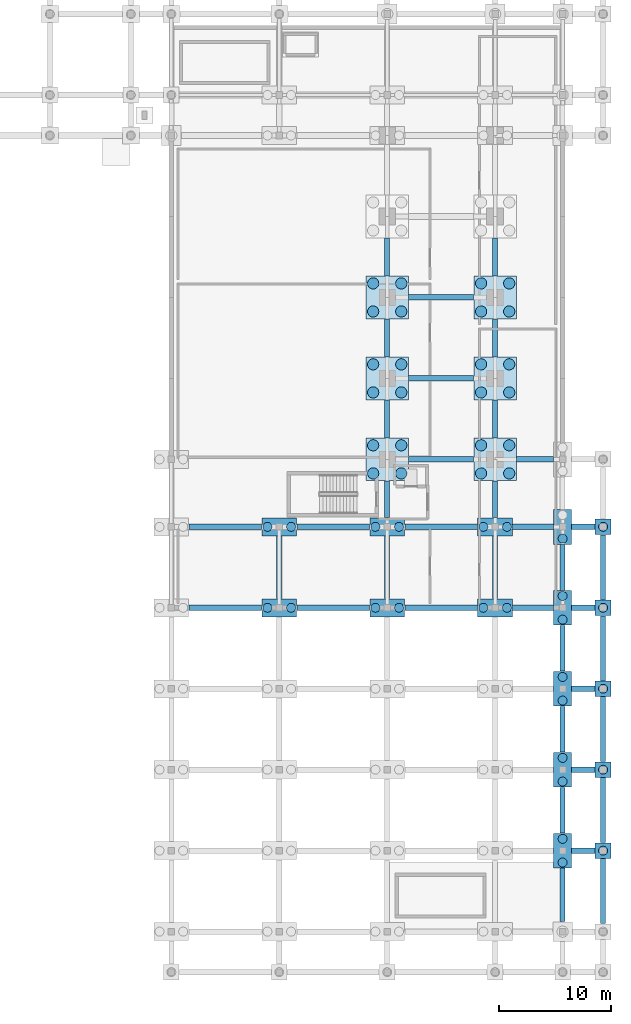
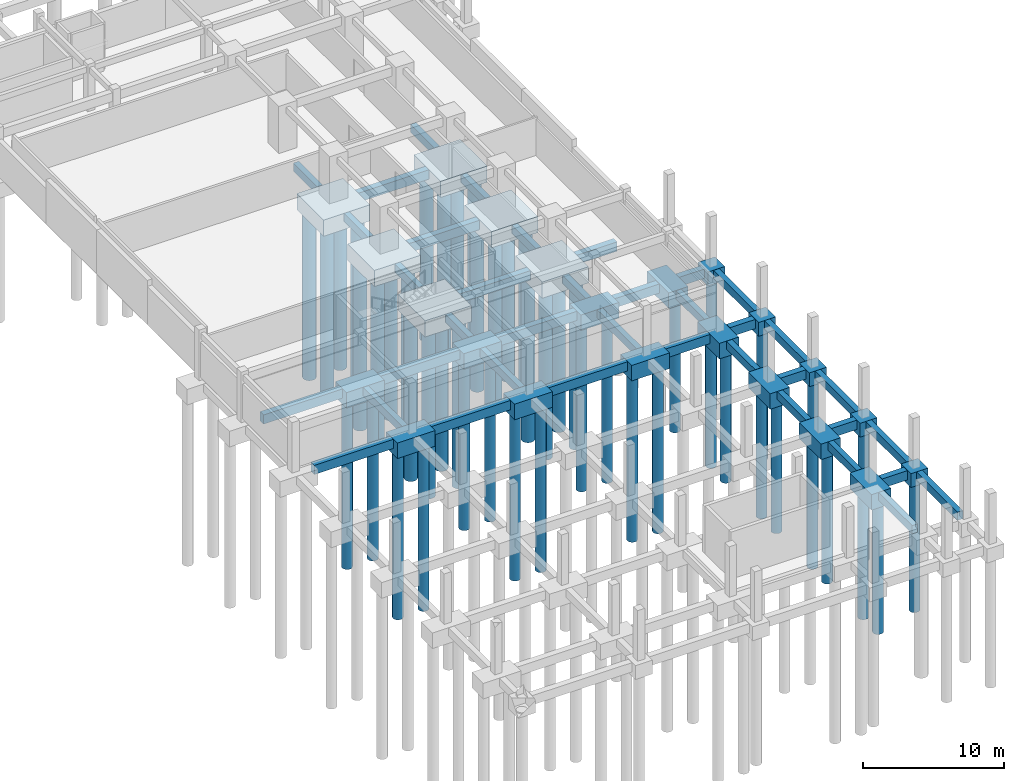
# One storey, part 9 of 20: 60 footings, 50 piles.
"""IFC4 building model written with IfcOpenShell, lengths in metres."""

from ifc_helpers import new_model, si_unit, direction, frame, origin, origin_2d, place, context, subcontext, project, spatial, polyline, rectangle, circle, outline, extrude, material, material_profile, profile_set, type_object, element, save


model = new_model("IFC4")

# Units and contexts
model_context = context("Model", 3, precision=1e-05, world=origin(), true_north=direction((0.0, 1.0)))
body_context = subcontext(model_context, "Body", "Model", "MODEL_VIEW")
ifc_project = project(units=[si_unit("LENGTHUNIT", "METRE"), si_unit("AREAUNIT", "SQUARE_METRE"), si_unit("VOLUMEUNIT", "CUBIC_METRE"), si_unit("PLANEANGLEUNIT", "RADIAN"), si_unit("MASSUNIT", "GRAM", prefix="KILO")], contexts=[model_context])

# Site, building, storey
site_placement = place(None, origin())
site = spatial("IfcSite", under=ifc_project, at=site_placement, CompositionType="ELEMENT")
building_placement = place(site_placement, origin())
building = spatial("IfcBuilding", under=site, at=building_placement, Name="Nzembalo Square Collegiate School", CompositionType="ELEMENT")
storey_placement = place(building_placement, frame((0.0, 0.0, -4.080078125)))
storey = spatial("IfcBuildingStorey", under=building, at=storey_placement, Name="B1", CompositionType="ELEMENT", Elevation=-4.080078125)

# Footings
ifc_material_1 = material(Name="Concrete C35/45", Category="concrete")
footing_type_1 = type_object("IfcFootingType", Name="PC01", PredefinedType="PILE_CAP", material=ifc_material_1)
for number, where, z_axis, x_axis, name in (
    (1, (150.0, 50.39990234375, -1.699951171875), (0.0, 0.0, 1.0), (1.0, 0.0, 0.0), "Pile cap PC01 at 22/H"),
    (2, (150.0, 57.60009765625, -1.699951171875), (0.0, 0.0, 1.0), (1.0, 0.0, 0.0), "Pile cap PC01 at 22/I"),
    (3, (150.0, 64.800048828125, -1.699951171875), (0.0, 0.0, 1.0), (1.0, 0.0, 0.0), "Pile cap PC01 at 22/J"),
    (4, (159.60009765625, 50.39990234375, -1.699951171875), (0.0, 0.0, 1.0), (1.0, 0.0, 0.0), "Pile cap PC01 at 23/H"),
    (5, (159.60009765625, 57.60009765625, -1.699951171875), (0.0, 0.0, 1.0), (1.0, 0.0, 0.0), "Pile cap PC01 at 23/I"),
    (6, (159.60009765625, 64.800048828125, -1.699951171875), (0.0, 0.0, 1.0), (1.0, 0.0, 0.0), "Pile cap PC01 at 23/J"),
):
    element("IfcFooting", number, at=place(storey_placement, frame(where, z_axis=z_axis, x_axis=x_axis)), inside=storey, type_object=footing_type_1, Name=name, PredefinedType="PILE_CAP", context=body_context, shape_type="SweptSolid", body=[
        extrude(rectangle(XDim=3.800048828125, YDim=3.800048828125, at=origin_2d()), origin(), (0.0, 0.0, 1.0), 1.39990234375),
    ])
ifc_material_2 = material(Name="Concrete C35/45", Category="concrete")
footing_type_2 = type_object("IfcFootingType", Name="PC03", PredefinedType="PILE_CAP", material=ifc_material_2)
for number, where, z_axis, x_axis, name in (
    (7, (140.39990234375, 37.199951171875, -1.64990234375), (0.0, 0.0, 1.0), (1.0, 0.0, 0.0), "Pile cap PC03 at 21/F"),
    (8, (140.39990234375, 44.39990234375, -1.64990234375), (0.0, 0.0, 1.0), (1.0, 0.0, 0.0), "Pile cap PC03 at 21/G"),
    (9, (150.0, 37.199951171875, -1.64990234375), (0.0, 0.0, 1.0), (1.0, 0.0, 0.0), "Pile cap PC03 at 22/F"),
    (10, (150.0, 44.39990234375, -1.64990234375), (0.0, 0.0, 1.0), (1.0, 0.0, 0.0), "Pile cap PC03 at 22/G"),
    (11, (159.60009765625, 37.199951171875, -1.64990234375), (0.0, 0.0, 1.0), (1.0, 0.0, 0.0), "Pile cap PC03 at 23/F"),
    (12, (159.60009765625, 44.39990234375, -1.64990234375), (0.0, 0.0, 1.0), (1.0, 0.0, 0.0), "Pile cap PC03 at 23/G"),
):
    element("IfcFooting", number, at=place(storey_placement, frame(where, z_axis=z_axis, x_axis=x_axis)), inside=storey, type_object=footing_type_2, Name=name, PredefinedType="PILE_CAP", context=body_context, shape_type="SweptSolid", body=[
        extrude(rectangle(XDim=3.10009765625, YDim=1.60009765625, at=origin_2d()), origin(), (0.0, 0.0, 1.0), 1.35009765625),
    ])
ifc_material_3 = material(Name="Concrete C35/45", Category="concrete")
footing_type_3 = type_object("IfcFootingType", Name="PC04", PredefinedType="PILE_CAP", material=ifc_material_3)
for number, where, z_axis, x_axis, name in (
    (13, (165.60009765625, 15.60009765625, -1.64990234375), (0.0, 0.0, 1.0), (1.0, 0.0, 0.0), "Pile cap PC04 at 24/C"),
    (14, (165.60009765625, 22.800048828125, -1.64990234375), (0.0, 0.0, 1.0), (1.0, 0.0, 0.0), "Pile cap PC04 at 24/D"),
    (15, (165.60009765625, 30.0, -1.64990234375), (0.0, 0.0, 1.0), (1.0, 0.0, 0.0), "Pile cap PC04 at 24/E"),
    (16, (165.60009765625, 37.199951171875, -1.64990234375), (0.0, 0.0, 1.0), (1.0, 0.0, 0.0), "Pile cap PC04 at 24/F"),
    (17, (165.60009765625, 44.39990234375, -1.64990234375), (0.0, 0.0, 1.0), (1.0, 0.0, 0.0), "Pile cap PC04 at 24/G"),
):
    element("IfcFooting", number, at=place(storey_placement, frame(where, z_axis=z_axis, x_axis=x_axis)), inside=storey, type_object=footing_type_3, Name=name, PredefinedType="PILE_CAP", context=body_context, shape_type="SweptSolid", body=[
        extrude(rectangle(XDim=1.60009765625, YDim=3.10009765625, at=origin_2d()), origin(), (0.0, 0.0, 1.0), 1.35009765625),
    ])
ifc_material_4 = material(Name="Concrete C35/45", Category="concrete")
footing_type_4 = type_object("IfcFootingType", Name="PC07", PredefinedType="PILE_CAP", material=ifc_material_4)
for number, where, z_axis, x_axis, name in (
    (18, (169.199951171875, 15.60009765625, -1.5), (0.0, 0.0, 1.0), (1.0, 0.0, 0.0), "Pile cap PC07 at 25/C"),
    (19, (169.199951171875, 22.800048828125, -1.5), (0.0, 0.0, 1.0), (1.0, 0.0, 0.0), "Pile cap PC07 at 25/D"),
    (20, (169.199951171875, 30.0, -1.5), (0.0, 0.0, 1.0), (1.0, 0.0, 0.0), "Pile cap PC07 at 25/E"),
    (21, (169.199951171875, 37.199951171875, -1.5), (0.0, 0.0, 1.0), (1.0, 0.0, 0.0), "Pile cap PC07 at 25/F"),
    (22, (169.199951171875, 44.39990234375, -1.5), (0.0, 0.0, 1.0), (1.0, 0.0, 0.0), "Pile cap PC07 at 25/G"),
):
    element("IfcFooting", number, at=place(storey_placement, frame(where, z_axis=z_axis, x_axis=x_axis)), inside=storey, type_object=footing_type_4, Name=name, PredefinedType="PILE_CAP", context=body_context, shape_type="SweptSolid", body=[
        extrude(rectangle(XDim=1.39990234375, YDim=1.39990234375, at=origin_2d()), origin(), (0.0, 0.0, 1.0), 1.199951171875),
    ])
ifc_material_5 = material(Name="Concrete C30/37", Category="concrete")
footing_type_5 = type_object("IfcFootingType", Name="FG01", PredefinedType="FOOTING_BEAM", material=ifc_material_5)
footing_1_placement = place(storey_placement, frame((0.0, 0.0, -1.099853515625)))
element("IfcFooting", 23, at=footing_1_placement, inside=storey, type_object=footing_type_5, Name="Ground beam FG01 24-25/C", PredefinedType="FOOTING_BEAM", context=body_context, shape_type="SweptSolid", body=[
    extrude(outline(polyline([(166.409912109375, 15.35009765625), (168.489990234375, 15.35009765625), (168.489990234375, 15.85009765625), (166.409912109375, 15.85009765625), (166.409912109375, 15.35009765625)])), origin(), (0.0, 0.0, 1.0), 0.800048828125),
])
footing_2_placement = place(storey_placement, frame((0.0, 0.0, -1.099853515625)))
element("IfcFooting", 24, at=footing_2_placement, inside=storey, type_object=footing_type_5, Name="Ground beam FG01 24-25/D", PredefinedType="FOOTING_BEAM", context=body_context, shape_type="SweptSolid", body=[
    extrude(outline(polyline([(166.409912109375, 22.550048828125), (168.489990234375, 22.550048828125), (168.489990234375, 23.050048828125), (166.409912109375, 23.050048828125), (166.409912109375, 22.550048828125)])), origin(), (0.0, 0.0, 1.0), 0.800048828125),
])
footing_3_placement = place(storey_placement, frame((0.0, 0.0, -1.099853515625)))
element("IfcFooting", 25, at=footing_3_placement, inside=storey, type_object=footing_type_5, Name="Ground beam FG01 24-25/E", PredefinedType="FOOTING_BEAM", context=body_context, shape_type="SweptSolid", body=[
    extrude(outline(polyline([(166.409912109375, 29.75), (168.489990234375, 29.75), (168.489990234375, 30.25), (166.409912109375, 30.25), (166.409912109375, 29.75)])), origin(), (0.0, 0.0, 1.0), 0.800048828125),
])
footing_4_placement = place(storey_placement, frame((0.0, 0.0, -1.099853515625)))
element("IfcFooting", 26, at=footing_4_placement, inside=storey, type_object=footing_type_5, Name="Ground beam FG01 20-21/F", PredefinedType="FOOTING_BEAM", context=body_context, shape_type="SweptSolid", body=[
    extrude(outline(polyline([(132.360107421875, 36.949951171875), (138.840087890625, 36.949951171875), (138.840087890625, 37.449951171875), (132.360107421875, 37.449951171875), (132.360107421875, 36.949951171875)])), origin(), (0.0, 0.0, 1.0), 0.800048828125),
])
footing_5_placement = place(storey_placement, frame((0.0, 0.0, -1.099853515625)))
element("IfcFooting", 27, at=footing_5_placement, inside=storey, type_object=footing_type_5, Name="Ground beam FG01 21-22/F", PredefinedType="FOOTING_BEAM", context=body_context, shape_type="SweptSolid", body=[
    extrude(outline(polyline([(141.9599609375, 36.949951171875), (148.43994140625, 36.949951171875), (148.43994140625, 37.449951171875), (141.9599609375, 37.449951171875), (141.9599609375, 36.949951171875)])), origin(), (0.0, 0.0, 1.0), 0.800048828125),
])
footing_6_placement = place(storey_placement, frame((0.0, 0.0, -1.099853515625)))
element("IfcFooting", 28, at=footing_6_placement, inside=storey, type_object=footing_type_5, Name="Ground beam FG01 22-23/F", PredefinedType="FOOTING_BEAM", context=body_context, shape_type="SweptSolid", body=[
    extrude(outline(polyline([(151.56005859375, 36.949951171875), (158.0400390625, 36.949951171875), (158.0400390625, 37.449951171875), (151.56005859375, 37.449951171875), (151.56005859375, 36.949951171875)])), origin(), (0.0, 0.0, 1.0), 0.800048828125),
])
footing_7_placement = place(storey_placement, frame((0.0, 0.0, -1.099853515625)))
element("IfcFooting", 29, at=footing_7_placement, inside=storey, type_object=footing_type_5, Name="Ground beam FG01 23-24/F", PredefinedType="FOOTING_BEAM", context=body_context, shape_type="SweptSolid", body=[
    extrude(outline(polyline([(161.159912109375, 36.949951171875), (164.7900390625, 36.949951171875), (164.7900390625, 37.449951171875), (161.159912109375, 37.449951171875), (161.159912109375, 36.949951171875)])), origin(), (0.0, 0.0, 1.0), 0.800048828125),
])
footing_8_placement = place(storey_placement, frame((0.0, 0.0, -1.099853515625)))
element("IfcFooting", 30, at=footing_8_placement, inside=storey, type_object=footing_type_5, Name="Ground beam FG01 24-25/F", PredefinedType="FOOTING_BEAM", context=body_context, shape_type="SweptSolid", body=[
    extrude(outline(polyline([(166.409912109375, 36.949951171875), (168.489990234375, 36.949951171875), (168.489990234375, 37.449951171875), (166.409912109375, 37.449951171875), (166.409912109375, 36.949951171875)])), origin(), (0.0, 0.0, 1.0), 0.800048828125),
])
footing_9_placement = place(storey_placement, frame((0.0, 0.0, -1.099853515625)))
element("IfcFooting", 31, at=footing_9_placement, inside=storey, type_object=footing_type_5, Name="Ground beam FG01 20-21/G", PredefinedType="FOOTING_BEAM", context=body_context, shape_type="SweptSolid", body=[
    extrude(outline(polyline([(132.360107421875, 44.14990234375), (138.840087890625, 44.14990234375), (138.840087890625, 44.64990234375), (132.360107421875, 44.64990234375), (132.360107421875, 44.14990234375)])), origin(), (0.0, 0.0, 1.0), 0.800048828125),
])
footing_10_placement = place(storey_placement, frame((0.0, 0.0, -1.099853515625)))
element("IfcFooting", 32, at=footing_10_placement, inside=storey, type_object=footing_type_5, Name="Ground beam FG01 21-22/G", PredefinedType="FOOTING_BEAM", context=body_context, shape_type="SweptSolid", body=[
    extrude(outline(polyline([(141.9599609375, 44.14990234375), (148.43994140625, 44.14990234375), (148.43994140625, 44.64990234375), (141.9599609375, 44.64990234375), (141.9599609375, 44.14990234375)])), origin(), (0.0, 0.0, 1.0), 0.800048828125),
])
footing_11_placement = place(storey_placement, frame((0.0, 0.0, -1.099853515625)))
element("IfcFooting", 33, at=footing_11_placement, inside=storey, type_object=footing_type_5, Name="Ground beam FG01 22-23/G", PredefinedType="FOOTING_BEAM", context=body_context, shape_type="SweptSolid", body=[
    extrude(outline(polyline([(151.56005859375, 44.14990234375), (158.0400390625, 44.14990234375), (158.0400390625, 44.64990234375), (151.56005859375, 44.64990234375), (151.56005859375, 44.14990234375)])), origin(), (0.0, 0.0, 1.0), 0.800048828125),
])
footing_12_placement = place(storey_placement, frame((0.0, 0.0, -1.099853515625)))
element("IfcFooting", 34, at=footing_12_placement, inside=storey, type_object=footing_type_5, Name="Ground beam FG01 23-24/G", PredefinedType="FOOTING_BEAM", context=body_context, shape_type="SweptSolid", body=[
    extrude(outline(polyline([(161.159912109375, 44.14990234375), (164.7900390625, 44.14990234375), (164.7900390625, 44.64990234375), (161.159912109375, 44.64990234375), (161.159912109375, 44.14990234375)])), origin(), (0.0, 0.0, 1.0), 0.800048828125),
])
footing_13_placement = place(storey_placement, frame((0.0, 0.0, -1.099853515625)))
element("IfcFooting", 35, at=footing_13_placement, inside=storey, type_object=footing_type_5, Name="Ground beam FG01 24-25/G", PredefinedType="FOOTING_BEAM", context=body_context, shape_type="SweptSolid", body=[
    extrude(outline(polyline([(166.409912109375, 44.14990234375), (168.489990234375, 44.14990234375), (168.489990234375, 44.64990234375), (166.409912109375, 44.64990234375), (166.409912109375, 44.14990234375)])), origin(), (0.0, 0.0, 1.0), 0.800048828125),
])
footing_14_placement = place(storey_placement, frame((0.0, 0.0, -1.099853515625)))
element("IfcFooting", 36, at=footing_14_placement, inside=storey, type_object=footing_type_5, Name="Ground beam FG01 22-23/H", PredefinedType="FOOTING_BEAM", context=body_context, shape_type="SweptSolid", body=[
    extrude(outline(polyline([(151.909912109375, 50.14990234375), (157.68994140625, 50.14990234375), (157.68994140625, 50.64990234375), (151.909912109375, 50.64990234375), (151.909912109375, 50.14990234375)])), origin(), (0.0, 0.0, 1.0), 0.800048828125),
])
footing_15_placement = place(storey_placement, frame((0.0, 0.0, -1.099853515625)))
element("IfcFooting", 37, at=footing_15_placement, inside=storey, type_object=footing_type_5, Name="Ground beam FG01 23-24/H", PredefinedType="FOOTING_BEAM", context=body_context, shape_type="SweptSolid", body=[
    extrude(outline(polyline([(161.510009765625, 50.14990234375), (164.7900390625, 50.14990234375), (164.7900390625, 50.64990234375), (161.510009765625, 50.64990234375), (161.510009765625, 50.14990234375)])), origin(), (0.0, 0.0, 1.0), 0.800048828125),
])
footing_16_placement = place(storey_placement, frame((0.0, 0.0, -1.099853515625)))
element("IfcFooting", 38, at=footing_16_placement, inside=storey, type_object=footing_type_5, Name="Ground beam FG01 22-23/I", PredefinedType="FOOTING_BEAM", context=body_context, shape_type="SweptSolid", body=[
    extrude(outline(polyline([(151.909912109375, 57.35009765625), (157.68994140625, 57.35009765625), (157.68994140625, 57.85009765625), (151.909912109375, 57.85009765625), (151.909912109375, 57.35009765625)])), origin(), (0.0, 0.0, 1.0), 0.800048828125),
])
footing_17_placement = place(storey_placement, frame((0.0, 0.0, -1.099853515625)))
element("IfcFooting", 39, at=footing_17_placement, inside=storey, type_object=footing_type_5, Name="Ground beam FG01 22-23/J", PredefinedType="FOOTING_BEAM", context=body_context, shape_type="SweptSolid", body=[
    extrude(outline(polyline([(151.909912109375, 64.550048828125), (157.68994140625, 64.550048828125), (157.68994140625, 65.050048828125), (151.909912109375, 65.050048828125), (151.909912109375, 64.550048828125)])), origin(), (0.0, 0.0, 1.0), 0.800048828125),
])
ifc_material_6 = material(Name="Concrete C30/37", Category="concrete")
footing_type_6 = type_object("IfcFootingType", Name="FG02", PredefinedType="FOOTING_BEAM", material=ifc_material_6)
footing_18_placement = place(storey_placement, frame((0.0, 0.0, -1.0)))
element("IfcFooting", 40, at=footing_18_placement, inside=storey, type_object=footing_type_6, Name="Ground beam FG02 21/F-G", PredefinedType="FOOTING_BEAM", context=body_context, shape_type="SweptSolid", body=[
    extrude(outline(polyline([(140.175048828125, 38.010009765625), (140.625, 38.010009765625), (140.625, 43.590087890625), (140.175048828125, 43.590087890625), (140.175048828125, 38.010009765625)])), origin(), (0.0, 0.0, 1.0), 0.7001953125),
])
footing_19_placement = place(storey_placement, frame((0.0, 0.0, -1.0)))
element("IfcFooting", 41, at=footing_19_placement, inside=storey, type_object=footing_type_6, Name="Ground beam FG02 22/F-G", PredefinedType="FOOTING_BEAM", context=body_context, shape_type="SweptSolid", body=[
    extrude(outline(polyline([(149.77490234375, 38.010009765625), (150.22509765625, 38.010009765625), (150.22509765625, 43.590087890625), (149.77490234375, 43.590087890625), (149.77490234375, 38.010009765625)])), origin(), (0.0, 0.0, 1.0), 0.7001953125),
])
footing_20_placement = place(storey_placement, frame((0.0, 0.0, -1.0)))
element("IfcFooting", 42, at=footing_20_placement, inside=storey, type_object=footing_type_6, Name="Ground beam FG02 22/G-H", PredefinedType="FOOTING_BEAM", context=body_context, shape_type="SweptSolid", body=[
    extrude(outline(polyline([(149.77490234375, 45.2099609375), (150.22509765625, 45.2099609375), (150.22509765625, 48.489990234375), (149.77490234375, 48.489990234375), (149.77490234375, 45.2099609375)])), origin(), (0.0, 0.0, 1.0), 0.7001953125),
])
footing_21_placement = place(storey_placement, frame((0.0, 0.0, -1.0)))
element("IfcFooting", 43, at=footing_21_placement, inside=storey, type_object=footing_type_6, Name="Ground beam FG02 22/H-I", PredefinedType="FOOTING_BEAM", context=body_context, shape_type="SweptSolid", body=[
    extrude(outline(polyline([(149.77490234375, 52.31005859375), (150.22509765625, 52.31005859375), (150.22509765625, 55.68994140625), (149.77490234375, 55.68994140625), (149.77490234375, 52.31005859375)])), origin(), (0.0, 0.0, 1.0), 0.7001953125),
])
footing_22_placement = place(storey_placement, frame((0.0, 0.0, -1.0)))
element("IfcFooting", 44, at=footing_22_placement, inside=storey, type_object=footing_type_6, Name="Ground beam FG02 22/I-J", PredefinedType="FOOTING_BEAM", context=body_context, shape_type="SweptSolid", body=[
    extrude(outline(polyline([(149.77490234375, 59.510009765625), (150.22509765625, 59.510009765625), (150.22509765625, 62.889892578125), (149.77490234375, 62.889892578125), (149.77490234375, 59.510009765625)])), origin(), (0.0, 0.0, 1.0), 0.7001953125),
])
footing_23_placement = place(storey_placement, frame((0.0, 0.0, -1.0)))
element("IfcFooting", 45, at=footing_23_placement, inside=storey, type_object=footing_type_6, Name="Ground beam FG02 22/J-K", PredefinedType="FOOTING_BEAM", context=body_context, shape_type="SweptSolid", body=[
    extrude(outline(polyline([(149.77490234375, 66.7099609375), (150.22509765625, 66.7099609375), (150.22509765625, 70.090087890625), (149.77490234375, 70.090087890625), (149.77490234375, 66.7099609375)])), origin(), (0.0, 0.0, 1.0), 0.7001953125),
])
footing_24_placement = place(storey_placement, frame((0.0, 0.0, -1.0)))
element("IfcFooting", 46, at=footing_24_placement, inside=storey, type_object=footing_type_6, Name="Ground beam FG02 23/F-G", PredefinedType="FOOTING_BEAM", context=body_context, shape_type="SweptSolid", body=[
    extrude(outline(polyline([(159.375, 38.010009765625), (159.824951171875, 38.010009765625), (159.824951171875, 43.590087890625), (159.375, 43.590087890625), (159.375, 38.010009765625)])), origin(), (0.0, 0.0, 1.0), 0.7001953125),
])
footing_25_placement = place(storey_placement, frame((0.0, 0.0, -1.0)))
element("IfcFooting", 47, at=footing_25_placement, inside=storey, type_object=footing_type_6, Name="Ground beam FG02 23/G-H", PredefinedType="FOOTING_BEAM", context=body_context, shape_type="SweptSolid", body=[
    extrude(outline(polyline([(159.375, 45.2099609375), (159.824951171875, 45.2099609375), (159.824951171875, 48.489990234375), (159.375, 48.489990234375), (159.375, 45.2099609375)])), origin(), (0.0, 0.0, 1.0), 0.7001953125),
])
footing_26_placement = place(storey_placement, frame((0.0, 0.0, -1.0)))
element("IfcFooting", 48, at=footing_26_placement, inside=storey, type_object=footing_type_6, Name="Ground beam FG02 23/H-I", PredefinedType="FOOTING_BEAM", context=body_context, shape_type="SweptSolid", body=[
    extrude(outline(polyline([(159.375, 52.31005859375), (159.824951171875, 52.31005859375), (159.824951171875, 55.68994140625), (159.375, 55.68994140625), (159.375, 52.31005859375)])), origin(), (0.0, 0.0, 1.0), 0.7001953125),
])
footing_27_placement = place(storey_placement, frame((0.0, 0.0, -1.0)))
element("IfcFooting", 49, at=footing_27_placement, inside=storey, type_object=footing_type_6, Name="Ground beam FG02 23/I-J", PredefinedType="FOOTING_BEAM", context=body_context, shape_type="SweptSolid", body=[
    extrude(outline(polyline([(159.375, 59.510009765625), (159.824951171875, 59.510009765625), (159.824951171875, 62.889892578125), (159.375, 62.889892578125), (159.375, 59.510009765625)])), origin(), (0.0, 0.0, 1.0), 0.7001953125),
])
footing_28_placement = place(storey_placement, frame((0.0, 0.0, -1.0)))
element("IfcFooting", 50, at=footing_28_placement, inside=storey, type_object=footing_type_6, Name="Ground beam FG02 23/J-K", PredefinedType="FOOTING_BEAM", context=body_context, shape_type="SweptSolid", body=[
    extrude(outline(polyline([(159.375, 66.7099609375), (159.824951171875, 66.7099609375), (159.824951171875, 70.090087890625), (159.375, 70.090087890625), (159.375, 66.7099609375)])), origin(), (0.0, 0.0, 1.0), 0.7001953125),
])
footing_29_placement = place(storey_placement, frame((0.0, 0.0, -1.0)))
element("IfcFooting", 51, at=footing_29_placement, inside=storey, type_object=footing_type_6, Name="Ground beam FG02 24/B-C", PredefinedType="FOOTING_BEAM", context=body_context, shape_type="SweptSolid", body=[
    extrude(outline(polyline([(165.375, 9.284912109375), (165.824951171875, 9.284912109375), (165.824951171875, 14.0400390625), (165.375, 14.0400390625), (165.375, 9.284912109375)])), origin(), (0.0, 0.0, 1.0), 0.7001953125),
])
footing_30_placement = place(storey_placement, frame((0.0, 0.0, -1.0)))
element("IfcFooting", 52, at=footing_30_placement, inside=storey, type_object=footing_type_6, Name="Ground beam FG02 24/C-D", PredefinedType="FOOTING_BEAM", context=body_context, shape_type="SweptSolid", body=[
    extrude(outline(polyline([(165.375, 17.159912109375), (165.824951171875, 17.159912109375), (165.824951171875, 21.239990234375), (165.375, 21.239990234375), (165.375, 17.159912109375)])), origin(), (0.0, 0.0, 1.0), 0.7001953125),
])
footing_31_placement = place(storey_placement, frame((0.0, 0.0, -1.0)))
element("IfcFooting", 53, at=footing_31_placement, inside=storey, type_object=footing_type_6, Name="Ground beam FG02 24/D-E", PredefinedType="FOOTING_BEAM", context=body_context, shape_type="SweptSolid", body=[
    extrude(outline(polyline([(165.375, 24.360107421875), (165.824951171875, 24.360107421875), (165.824951171875, 28.43994140625), (165.375, 28.43994140625), (165.375, 24.360107421875)])), origin(), (0.0, 0.0, 1.0), 0.7001953125),
])
footing_32_placement = place(storey_placement, frame((0.0, 0.0, -1.0)))
element("IfcFooting", 54, at=footing_32_placement, inside=storey, type_object=footing_type_6, Name="Ground beam FG02 24/E-F", PredefinedType="FOOTING_BEAM", context=body_context, shape_type="SweptSolid", body=[
    extrude(outline(polyline([(165.375, 31.56005859375), (165.824951171875, 31.56005859375), (165.824951171875, 35.639892578125), (165.375, 35.639892578125), (165.375, 31.56005859375)])), origin(), (0.0, 0.0, 1.0), 0.7001953125),
])
footing_33_placement = place(storey_placement, frame((0.0, 0.0, -1.0)))
element("IfcFooting", 55, at=footing_33_placement, inside=storey, type_object=footing_type_6, Name="Ground beam FG02 24/F-G", PredefinedType="FOOTING_BEAM", context=body_context, shape_type="SweptSolid", body=[
    extrude(outline(polyline([(165.375, 38.760009765625), (165.824951171875, 38.760009765625), (165.824951171875, 42.840087890625), (165.375, 42.840087890625), (165.375, 38.760009765625)])), origin(), (0.0, 0.0, 1.0), 0.7001953125),
])
footing_34_placement = place(storey_placement, frame((0.0, 0.0, -1.0)))
element("IfcFooting", 56, at=footing_34_placement, inside=storey, type_object=footing_type_6, Name="Ground beam FG02 25/B-C", PredefinedType="FOOTING_BEAM", context=body_context, shape_type="SweptSolid", body=[
    extrude(outline(polyline([(168.97509765625, 9.110107421875), (169.425048828125, 9.110107421875), (169.425048828125, 14.889892578125), (168.97509765625, 14.889892578125), (168.97509765625, 9.110107421875)])), origin(), (0.0, 0.0, 1.0), 0.7001953125),
])
footing_35_placement = place(storey_placement, frame((0.0, 0.0, -1.0)))
element("IfcFooting", 57, at=footing_35_placement, inside=storey, type_object=footing_type_6, Name="Ground beam FG02 25/C-D", PredefinedType="FOOTING_BEAM", context=body_context, shape_type="SweptSolid", body=[
    extrude(outline(polyline([(168.97509765625, 16.31005859375), (169.425048828125, 16.31005859375), (169.425048828125, 22.090087890625), (168.97509765625, 22.090087890625), (168.97509765625, 16.31005859375)])), origin(), (0.0, 0.0, 1.0), 0.7001953125),
])
footing_36_placement = place(storey_placement, frame((0.0, 0.0, -1.0)))
element("IfcFooting", 58, at=footing_36_placement, inside=storey, type_object=footing_type_6, Name="Ground beam FG02 25/D-E", PredefinedType="FOOTING_BEAM", context=body_context, shape_type="SweptSolid", body=[
    extrude(outline(polyline([(168.97509765625, 23.510009765625), (169.425048828125, 23.510009765625), (169.425048828125, 29.2900390625), (168.97509765625, 29.2900390625), (168.97509765625, 23.510009765625)])), origin(), (0.0, 0.0, 1.0), 0.7001953125),
])
footing_37_placement = place(storey_placement, frame((0.0, 0.0, -1.0)))
element("IfcFooting", 59, at=footing_37_placement, inside=storey, type_object=footing_type_6, Name="Ground beam FG02 25/E-F", PredefinedType="FOOTING_BEAM", context=body_context, shape_type="SweptSolid", body=[
    extrude(outline(polyline([(168.97509765625, 30.7099609375), (169.425048828125, 30.7099609375), (169.425048828125, 36.489990234375), (168.97509765625, 36.489990234375), (168.97509765625, 30.7099609375)])), origin(), (0.0, 0.0, 1.0), 0.7001953125),
])
footing_38_placement = place(storey_placement, frame((0.0, 0.0, -1.0)))
element("IfcFooting", 60, at=footing_38_placement, inside=storey, type_object=footing_type_6, Name="Ground beam FG02 25/F-G", PredefinedType="FOOTING_BEAM", context=body_context, shape_type="SweptSolid", body=[
    extrude(outline(polyline([(168.97509765625, 37.909912109375), (169.425048828125, 37.909912109375), (169.425048828125, 43.68994140625), (168.97509765625, 43.68994140625), (168.97509765625, 37.909912109375)])), origin(), (0.0, 0.0, 1.0), 0.7001953125),
])

# Piles
ifc_material_7 = material(Name="Concrete C30/37", Category="concrete")
ifc_material_profile_1 = material_profile(ifc_material_7, circle(Radius=0.5, at=origin_2d()), Name="PILE D1000")
ifc_profile_set_1 = profile_set([ifc_material_profile_1], Name="Concrete C30/37")
pile_type_1 = type_object("IfcPileType", Name="P01", PredefinedType="BORED", material=ifc_profile_set_1)
for number, where, z_axis, x_axis, name in (
    (61, (148.75, 49.14990234375, -1.599853515625), (0.0, 0.0, -1.0), (1.0, 0.0, 0.0), "Bored pile P01-136"),
    (62, (151.25, 49.14990234375, -1.599853515625), (0.0, 0.0, -1.0), (1.0, 0.0, 0.0), "Bored pile P01-137"),
    (63, (148.75, 51.64990234375, -1.599853515625), (0.0, 0.0, -1.0), (1.0, 0.0, 0.0), "Bored pile P01-138"),
    (64, (151.25, 51.64990234375, -1.599853515625), (0.0, 0.0, -1.0), (1.0, 0.0, 0.0), "Bored pile P01-139"),
    (65, (148.75, 56.35009765625, -1.599853515625), (0.0, 0.0, -1.0), (1.0, 0.0, 0.0), "Bored pile P01-140"),
    (66, (151.25, 56.35009765625, -1.599853515625), (0.0, 0.0, -1.0), (1.0, 0.0, 0.0), "Bored pile P01-141"),
    (67, (148.75, 58.85009765625, -1.599853515625), (0.0, 0.0, -1.0), (1.0, 0.0, 0.0), "Bored pile P01-142"),
    (68, (151.25, 58.85009765625, -1.599853515625), (0.0, 0.0, -1.0), (1.0, 0.0, 0.0), "Bored pile P01-143"),
    (69, (148.75, 63.550048828125, -1.599853515625), (0.0, 0.0, -1.0), (1.0, 0.0, 0.0), "Bored pile P01-144"),
    (70, (151.25, 63.550048828125, -1.599853515625), (0.0, 0.0, -1.0), (1.0, 0.0, 0.0), "Bored pile P01-145"),
    (71, (148.75, 66.050048828125, -1.599853515625), (0.0, 0.0, -1.0), (1.0, 0.0, 0.0), "Bored pile P01-146"),
    (72, (151.25, 66.050048828125, -1.599853515625), (0.0, 0.0, -1.0), (1.0, 0.0, 0.0), "Bored pile P01-147"),
    (73, (158.35009765625, 49.14990234375, -1.599853515625), (0.0, 0.0, -1.0), (1.0, 0.0, 0.0), "Bored pile P01-173"),
    (74, (160.85009765625, 49.14990234375, -1.599853515625), (0.0, 0.0, -1.0), (1.0, 0.0, 0.0), "Bored pile P01-174"),
    (75, (158.35009765625, 51.64990234375, -1.599853515625), (0.0, 0.0, -1.0), (1.0, 0.0, 0.0), "Bored pile P01-175"),
    (76, (160.85009765625, 51.64990234375, -1.599853515625), (0.0, 0.0, -1.0), (1.0, 0.0, 0.0), "Bored pile P01-176"),
    (77, (158.35009765625, 56.35009765625, -1.599853515625), (0.0, 0.0, -1.0), (1.0, 0.0, 0.0), "Bored pile P01-177"),
    (78, (160.85009765625, 56.35009765625, -1.599853515625), (0.0, 0.0, -1.0), (1.0, 0.0, 0.0), "Bored pile P01-178"),
    (79, (158.35009765625, 58.85009765625, -1.599853515625), (0.0, 0.0, -1.0), (1.0, 0.0, 0.0), "Bored pile P01-179"),
    (80, (160.85009765625, 58.85009765625, -1.599853515625), (0.0, 0.0, -1.0), (1.0, 0.0, 0.0), "Bored pile P01-180"),
    (81, (158.35009765625, 63.550048828125, -1.599853515625), (0.0, 0.0, -1.0), (1.0, 0.0, 0.0), "Bored pile P01-181"),
    (82, (160.85009765625, 63.550048828125, -1.599853515625), (0.0, 0.0, -1.0), (1.0, 0.0, 0.0), "Bored pile P01-182"),
    (83, (158.35009765625, 66.050048828125, -1.599853515625), (0.0, 0.0, -1.0), (1.0, 0.0, 0.0), "Bored pile P01-183"),
    (84, (160.85009765625, 66.050048828125, -1.599853515625), (0.0, 0.0, -1.0), (1.0, 0.0, 0.0), "Bored pile P01-184"),
):
    element("IfcPile", number, at=place(storey_placement, frame(where, z_axis=z_axis, x_axis=x_axis)), inside=storey, type_object=pile_type_1, Name=name, PredefinedType="BORED", context=body_context, shape_type="SweptSolid", body=[
        extrude(circle(Radius=0.5, at=origin_2d()), origin(), (0.0, 0.0, 1.0), 14.39990234375),
    ])
ifc_material_8 = material(Name="Concrete C30/37", Category="concrete")
ifc_material_profile_2 = material_profile(ifc_material_8, circle(Radius=0.39990234375, at=origin_2d()), Name="PILE D800")
ifc_profile_set_2 = profile_set([ifc_material_profile_2], Name="Concrete C30/37")
pile_type_2 = type_object("IfcPileType", Name="P02", PredefinedType="BORED", material=ifc_profile_set_2)
for number, where, z_axis, x_axis, name in (
    (85, (139.35009765625, 37.199951171875, -1.5498046875), (0.0, 0.0, -1.0), (1.0, 0.0, 0.0), "Bored pile P02-111"),
    (86, (141.449951171875, 37.199951171875, -1.5498046875), (0.0, 0.0, -1.0), (1.0, 0.0, 0.0), "Bored pile P02-112"),
    (87, (139.35009765625, 44.39990234375, -1.5498046875), (0.0, 0.0, -1.0), (1.0, 0.0, 0.0), "Bored pile P02-113"),
    (88, (141.449951171875, 44.39990234375, -1.5498046875), (0.0, 0.0, -1.0), (1.0, 0.0, 0.0), "Bored pile P02-114"),
    (89, (148.949951171875, 37.199951171875, -1.5498046875), (0.0, 0.0, -1.0), (1.0, 0.0, 0.0), "Bored pile P02-132"),
    (90, (151.050048828125, 37.199951171875, -1.5498046875), (0.0, 0.0, -1.0), (1.0, 0.0, 0.0), "Bored pile P02-133"),
    (91, (148.949951171875, 44.39990234375, -1.5498046875), (0.0, 0.0, -1.0), (1.0, 0.0, 0.0), "Bored pile P02-134"),
    (92, (151.050048828125, 44.39990234375, -1.5498046875), (0.0, 0.0, -1.0), (1.0, 0.0, 0.0), "Bored pile P02-135"),
    (93, (158.550048828125, 37.199951171875, -1.5498046875), (0.0, 0.0, -1.0), (1.0, 0.0, 0.0), "Bored pile P02-169"),
    (94, (160.64990234375, 37.199951171875, -1.5498046875), (0.0, 0.0, -1.0), (1.0, 0.0, 0.0), "Bored pile P02-170"),
    (95, (158.550048828125, 44.39990234375, -1.5498046875), (0.0, 0.0, -1.0), (1.0, 0.0, 0.0), "Bored pile P02-171"),
    (96, (160.64990234375, 44.39990234375, -1.5498046875), (0.0, 0.0, -1.0), (1.0, 0.0, 0.0), "Bored pile P02-172"),
):
    element("IfcPile", number, at=place(storey_placement, frame(where, z_axis=z_axis, x_axis=x_axis)), inside=storey, type_object=pile_type_2, Name=name, PredefinedType="BORED", context=body_context, shape_type="SweptSolid", body=[
        extrude(circle(Radius=0.39990234375, at=origin_2d()), origin(), (0.0, 0.0, 1.0), 14.449951171875),
    ])
for number, where, z_axis, x_axis, name in (
    (97, (165.60009765625, 14.550048828125, -1.5498046875), (0.0, 0.0, -1.0), (1.0, 0.0, 0.0), "Bored pile P02-199"),
    (98, (165.60009765625, 16.64990234375, -1.5498046875), (0.0, 0.0, -1.0), (1.0, 0.0, 0.0), "Bored pile P02-200"),
    (99, (165.60009765625, 21.75, -1.5498046875), (0.0, 0.0, -1.0), (1.0, 0.0, 0.0), "Bored pile P02-201"),
    (100, (165.60009765625, 23.85009765625, -1.5498046875), (0.0, 0.0, -1.0), (1.0, 0.0, 0.0), "Bored pile P02-202"),
    (101, (165.60009765625, 28.949951171875, -1.5498046875), (0.0, 0.0, -1.0), (1.0, 0.0, 0.0), "Bored pile P02-203"),
    (102, (165.60009765625, 31.050048828125, -1.5498046875), (0.0, 0.0, -1.0), (1.0, 0.0, 0.0), "Bored pile P02-204"),
    (103, (165.60009765625, 36.14990234375, -1.5498046875), (0.0, 0.0, -1.0), (1.0, 0.0, 0.0), "Bored pile P02-205"),
    (104, (165.60009765625, 38.25, -1.5498046875), (0.0, 0.0, -1.0), (1.0, 0.0, 0.0), "Bored pile P02-206"),
    (105, (165.60009765625, 43.35009765625, -1.5498046875), (0.0, 0.0, -1.0), (1.0, 0.0, 0.0), "Bored pile P02-207"),
):
    element("IfcPile", number, at=place(storey_placement, frame(where, z_axis=z_axis, x_axis=x_axis)), inside=storey, type_object=pile_type_2, Name=name, PredefinedType="BORED", context=body_context, shape_type="SweptSolid", body=[
        extrude(circle(Radius=0.39990234375, at=origin_2d()), origin(), (0.0, 0.0, 1.0), 11.169921875),
    ])
for number, where, z_axis, x_axis, name in (
    (106, (169.199951171875, 15.60009765625, -1.39990234375), (0.0, 0.0, -1.0), (1.0, 0.0, 0.0), "Bored pile P02-219"),
    (107, (169.199951171875, 22.800048828125, -1.39990234375), (0.0, 0.0, -1.0), (1.0, 0.0, 0.0), "Bored pile P02-220"),
    (108, (169.199951171875, 30.0, -1.39990234375), (0.0, 0.0, -1.0), (1.0, 0.0, 0.0), "Bored pile P02-221"),
    (109, (169.199951171875, 37.199951171875, -1.39990234375), (0.0, 0.0, -1.0), (1.0, 0.0, 0.0), "Bored pile P02-222"),
    (110, (169.199951171875, 44.39990234375, -1.39990234375), (0.0, 0.0, -1.0), (1.0, 0.0, 0.0), "Bored pile P02-223"),
):
    element("IfcPile", number, at=place(storey_placement, frame(where, z_axis=z_axis, x_axis=x_axis)), inside=storey, type_object=pile_type_2, Name=name, PredefinedType="BORED", context=body_context, shape_type="SweptSolid", body=[
        extrude(circle(Radius=0.39990234375, at=origin_2d()), origin(), (0.0, 0.0, 1.0), 11.320068359375),
    ])

save(model, "model.ifc")
